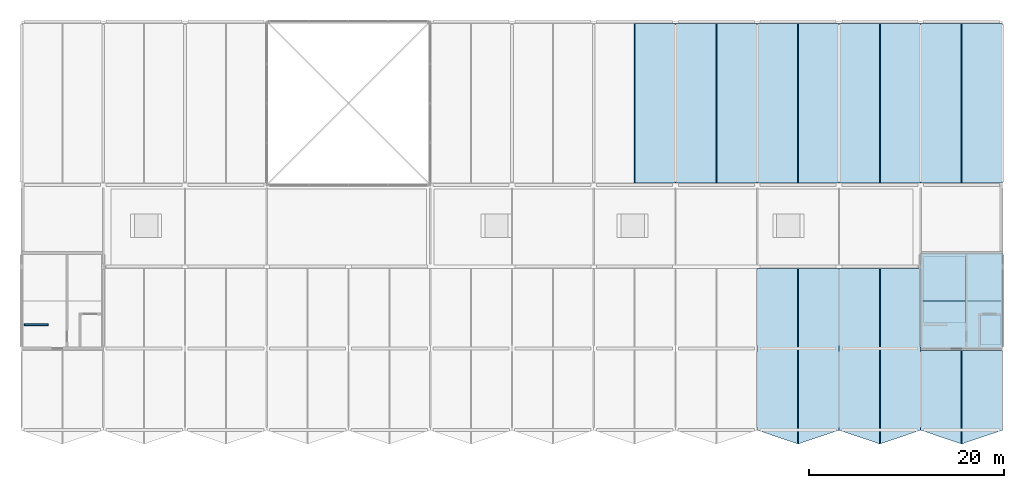
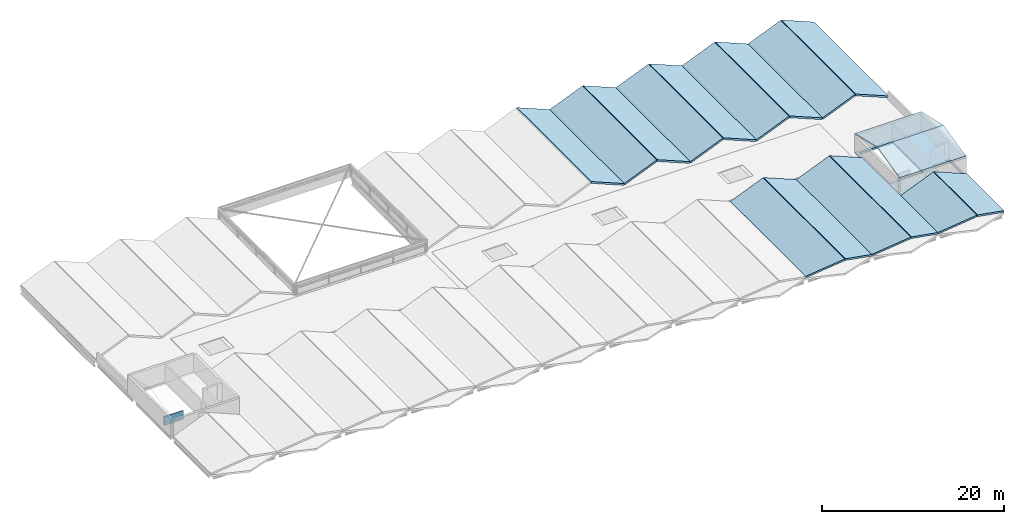
# One storey, part 11 of 14: 18 slabs, 1 wall.
"""IFC4 building model written with IfcOpenShell, lengths in metres."""

import ifcopenshell
import ifcopenshell.guid

model = None  # the IFC model being written
_history = None  # IfcOwnerHistory: only IFC2X3 demands one
_inside = {}  # id of a spatial element -> (the spatial element, [elements in it])
_under = {}  # id of a project, library or spatial element -> (it, [spatial elements below it])
_declared = {}  # id of a project -> (the project, [libraries it declares])
_typed = {}  # id of a type object -> (the type object, [elements of that type])
_made_of = {}  # id of a material, layer set ... -> (it, [elements and type objects made of it])


def new_model(schema):
    """Start an empty IFC model of exactly this schema.

    Asked for "IFC4X3", IfcOpenShell would pick the latest addendum, in which some entities
    have other attributes; the version numbers below select the first issue.
    IFC2X3 requires an IfcOwnerHistory on every rooted entity: one is made here for all.
    """
    global model, _history
    if schema == "IFC4X3":
        model = ifcopenshell.file(schema_version=(4, 3, 0, 0))
    else:
        model = ifcopenshell.file(schema=schema)
    _inside.clear()
    _under.clear()
    _declared.clear()
    _typed.clear()
    _made_of.clear()
    _history = None
    if model.schema == "IFC2X3":
        org = make("IfcOrganization", Name="unknown")
        user = make(
            "IfcPersonAndOrganization",
            ThePerson=make("IfcPerson", FamilyName="unknown"),
            TheOrganization=org,
        )
        app = make(
            "IfcApplication",
            ApplicationDeveloper=org,
            Version="unknown",
            ApplicationFullName="unknown",
            ApplicationIdentifier="unknown",
        )
        _history = make(
            "IfcOwnerHistory",
            OwningUser=user,
            OwningApplication=app,
            ChangeAction="ADDED",
            CreationDate=0,
        )
    return model


def make(cls, **values):
    """One entity of the class cls with the attributes given. An attribute that is None is left unset."""
    return model.create_entity(
        cls, **{name: value for name, value in values.items() if value is not None}
    )


def rooted(cls, **values):
    """An entity with a GlobalId (a new one), such as an element, a storey or a relation."""
    return make(cls, GlobalId=ifcopenshell.guid.new(), OwnerHistory=_history, **values)


def si_unit(unit_type, name, prefix=None):
    """IfcSIUnit, for example si_unit("LENGTHUNIT", "METRE", prefix="MILLI")."""
    return make("IfcSIUnit", UnitType=unit_type, Prefix=prefix, Name=name)


def assignment(units):
    """IfcUnitAssignment: the units of a project."""
    return None if units is None else make("IfcUnitAssignment", Units=units)


def point(xyz):
    """IfcCartesianPoint."""
    return None if xyz is None else make("IfcCartesianPoint", Coordinates=xyz)


def direction(xyz):
    """IfcDirection."""
    return None if xyz is None else make("IfcDirection", DirectionRatios=xyz)


def frame(location, z_axis=None, x_axis=None):
    """IfcAxis2Placement3D, a coordinate frame: its origin and axes. An axis left out is left unset."""
    return make(
        "IfcAxis2Placement3D",
        Location=point(location),
        Axis=direction(z_axis),
        RefDirection=direction(x_axis),
    )


def frame_2d(location, x_axis=None):
    """IfcAxis2Placement2D, a coordinate frame in the plane: its origin and x axis."""
    return make(
        "IfcAxis2Placement2D", Location=point(location), RefDirection=direction(x_axis)
    )


def origin():
    """The frame at (0, 0, 0) with its axes left unset."""
    return frame((0.0, 0.0, 0.0))


def place(relative_to, where):
    """IfcLocalPlacement: puts the frame where relative to a parent placement (None: the world)."""
    return make(
        "IfcLocalPlacement", PlacementRelTo=relative_to, RelativePlacement=where
    )


def context(
    kind, dimensions, precision=None, world=None, true_north=None, identifier=None
):
    """IfcGeometricRepresentationContext, for example the 3D "Model" context."""
    return make(
        "IfcGeometricRepresentationContext",
        ContextIdentifier=identifier,
        ContextType=kind,
        CoordinateSpaceDimension=dimensions,
        Precision=precision,
        WorldCoordinateSystem=world,
        TrueNorth=true_north,
    )


def subcontext(parent, identifier, kind, view, scale=None):
    """IfcGeometricRepresentationSubContext, for example "Body" below "Model"."""
    return make(
        "IfcGeometricRepresentationSubContext",
        ContextIdentifier=identifier,
        ContextType=kind,
        ParentContext=parent,
        TargetScale=scale,
        TargetView=view,
    )


def project(units=None, contexts=None):
    """IfcProject with its units and contexts."""
    return rooted(
        "IfcProject",
        Name="project",
        RepresentationContexts=contexts,
        UnitsInContext=assignment(units),
    )


def spatial(cls, under=None, at=None, **own):
    """A site, building, storey or space (cls), placed at a placement, below another one or the project."""
    s = rooted(cls, ObjectPlacement=at, **own)
    if under is not None:
        _under.setdefault(under.id(), (under, []))[1].append(s)
    return s


def polyline(points):
    """IfcPolyline through the points."""
    return make("IfcPolyline", Points=[point(p) for p in points])


def profile(cls, at=None, kind="AREA", **sizes):
    """A parametric profile (cls). Its sizes go by their IFC names, for example OverallWidth=200.0."""
    return make(cls, ProfileType=kind, Position=at, **sizes)


def rectangle(**sizes):
    """IfcRectangleProfileDef."""
    return profile("IfcRectangleProfileDef", **sizes)


def outline(outer, holes=None, kind="AREA"):
    """IfcArbitraryClosedProfileDef: a profile drawn as a closed curve; with holes, ...WithVoids."""
    if holes is None:
        return make("IfcArbitraryClosedProfileDef", ProfileType=kind, OuterCurve=outer)
    return make(
        "IfcArbitraryProfileDefWithVoids",
        ProfileType=kind,
        OuterCurve=outer,
        InnerCurves=holes,
    )


def extrude(swept, where, along, depth):
    """IfcExtrudedAreaSolid: the profile swept, set in the frame where, extruded along a direction by depth."""
    return make(
        "IfcExtrudedAreaSolid",
        SweptArea=swept,
        Position=where,
        ExtrudedDirection=direction(along),
        Depth=depth,
    )


def shape(context_of_items, identifier, shape_type, items):
    """IfcShapeRepresentation: the items that make up one representation, for example the "Body"."""
    return make(
        "IfcShapeRepresentation",
        ContextOfItems=context_of_items,
        RepresentationIdentifier=identifier,
        RepresentationType=shape_type,
        Items=items,
    )


def material(Name=None, Category=None):
    """IfcMaterial."""
    return make("IfcMaterial", Name=Name, Category=Category)


def layer(
    of_material, thickness, ventilated=None, Name=None, Category=None, Priority=None
):
    """IfcMaterialLayer: one layer of a wall or slab, of a material (None: an air gap)."""
    return make(
        "IfcMaterialLayer",
        Material=of_material,
        LayerThickness=thickness,
        IsVentilated=ventilated,
        Name=Name,
        Category=Category,
        Priority=Priority,
    )


def layer_set(layers, Name=None):
    """IfcMaterialLayerSet."""
    return make("IfcMaterialLayerSet", MaterialLayers=layers, LayerSetName=Name)


def made_of(thing, what):
    """Note that an element or type object is made of a material, layer set ...; save() writes the relation."""
    if what is not None:
        _made_of.setdefault(what.id(), (what, []))[1].append(thing)
    return thing


def type_object(cls, material=None, **own):
    """A type object (cls), such as IfcWallType, which elements share."""
    return made_of(rooted(cls, **own), material)


def element(
    cls,
    number,
    at=None,
    inside=None,
    cuts=None,
    type_object=None,
    material=None,
    context=None,
    identifier="Body",
    shape_type=None,
    held_by="IfcProductDefinitionShape",
    body=None,
    shapes=None,
    **own,
):
    """One element of the class cls, such as IfcWall. Its Tag is "e" and its number.

    at: its placement. inside: the storey or other place that contains it. cuts: it is an
    opening in that element (IfcRelVoidsElement). A single representation is given by context,
    identifier, shape_type and body (its items); several are given by shapes. held_by: the class
    of the entity that holds the representations. save() writes the other relations.
    """
    e = rooted(cls, Tag="e%d" % number, ObjectPlacement=at, **own)
    if body is not None:
        shapes = [shape(context, identifier, shape_type, body)]
    if shapes is not None:
        e.Representation = make(held_by, Representations=shapes)
    if inside is not None:
        _inside.setdefault(inside.id(), (inside, []))[1].append(e)
    if cuts is not None:
        rooted(
            "IfcRelVoidsElement", RelatingBuildingElement=cuts, RelatedOpeningElement=e
        )
    if type_object is not None:
        _typed.setdefault(type_object.id(), (type_object, []))[1].append(e)
    return made_of(e, material)


def aggregate(whole, parts):
    """IfcRelAggregates: a whole, such as a stair, and the parts it consists of."""
    return rooted("IfcRelAggregates", RelatingObject=whole, RelatedObjects=parts)


def save(model, path):
    """Write the relations noted so far, then the file.

    IfcRelAggregates (storeys below a building ...), IfcRelContainedInSpatialStructure (elements
    in a storey), IfcRelDefinesByType, IfcRelAssociatesMaterial and IfcRelDeclares: one each for
    every whole, place, type object, material and project.
    """
    for whole, parts in _under.values():
        aggregate(whole, parts)
    for where, things in _inside.values():
        rooted(
            "IfcRelContainedInSpatialStructure",
            RelatedElements=things,
            RelatingStructure=where,
        )
    for kind, things in _typed.values():
        rooted("IfcRelDefinesByType", RelatedObjects=things, RelatingType=kind)
    for what, things in _made_of.values():
        rooted("IfcRelAssociatesMaterial", RelatedObjects=things, RelatingMaterial=what)
    for by, libraries in _declared.values():
        rooted("IfcRelDeclares", RelatingContext=by, RelatedDefinitions=libraries)
    model.write(path)


model = new_model("IFC4")

# Units and contexts
model_context = context("Model", 3, precision=1e-05, world=origin(), true_north=direction((0.0, 1.0)))
body_context = subcontext(model_context, "Body", "Model", "MODEL_VIEW")
ifc_project = project(units=[si_unit("LENGTHUNIT", "METRE"), si_unit("AREAUNIT", "SQUARE_METRE"), si_unit("VOLUMEUNIT", "CUBIC_METRE"), si_unit("PLANEANGLEUNIT", "RADIAN"), si_unit("MASSUNIT", "GRAM", prefix="KILO")], contexts=[model_context])

# Site, building, storey
site_placement = place(None, origin())
site = spatial("IfcSite", under=ifc_project, at=site_placement, CompositionType="ELEMENT")
building_placement = place(site_placement, origin())
building = spatial("IfcBuilding", under=site, at=building_placement, Name="Qawsi Khor Wholesale Market", CompositionType="ELEMENT")
storey_placement = place(building_placement, frame((0.0, 0.0, 20.699951171875)))
storey = spatial("IfcBuildingStorey", under=building, at=storey_placement, Name="RF", CompositionType="ELEMENT", Elevation=20.699951171875)

# Slabs
ifc_material = material(Name="Concrete C40/50", Category="concrete")
ifc_layer_1 = layer(ifc_material, 0.22998046875, Name="Concrete C40/50")
ifc_layer_set_1 = layer_set([ifc_layer_1], Name="Concrete C40/50")
slab_type_1 = type_object("IfcSlabType", Name="Folded Concrete Canopy Slab 230 C40/50", PredefinedType="ROOF", material=ifc_layer_set_1)
slab_1_placement = place(storey_placement, frame((88.2451171875, 25.39990234375, 1.949951171875), z_axis=(0.382494052341, 0.0, 0.923957953547), x_axis=(0.923957953547, 0.0, -0.382494052341)))
element("IfcSlab", 1, at=slab_1_placement, inside=storey, type_object=slab_type_1, Name="Upper Crown Folded Concrete Vault North 10B", PredefinedType="ROOF", context=body_context, shape_type="SweptSolid", body=[
    extrude(outline(polyline([(0.0, 0.0), (4.496725354544532, 0.0), (4.496725354544532, 16.400146484375), (0.0, 16.400146484375), (0.0, 0.0)])), origin(), (0.0, 0.0, -1.0), 0.22998046875),
])
for number, where, z_axis, x_axis, name in (
    (2, (92.39990234375, 25.39990234375, 0.22998046875), (-0.382474865624, 0.0, 0.923965896105), (0.923965896105, 0.0, 0.382474865624), "Upper Crown Folded Concrete Vault North 11A"),
    (3, (96.64501953125, 25.39990234375, 1.949951171875), (0.382474865624, 0.0, 0.923965896105), (0.923965896105, 0.0, -0.382474865624), "Upper Crown Folded Concrete Vault North 11B"),
):
    element("IfcSlab", number, at=place(storey_placement, frame(where, z_axis=z_axis, x_axis=x_axis)), inside=storey, type_object=slab_type_1, Name=name, PredefinedType="ROOF", context=body_context, shape_type="SweptSolid", body=[
        extrude(outline(polyline([(0.0, 0.0), (4.496950931186359, 0.0), (4.496950931186359, 16.400146484375004), (0.0, 16.400146484375004), (0.0, 0.0)])), origin(), (0.0, 0.0, -1.0), 0.22998046875),
    ])
slab_2_placement = place(storey_placement, frame((100.800048828125, 0.0, 0.22998046875), z_axis=(-0.382474865624, 0.0, 0.923965896105), x_axis=(0.882207731123, -0.297231278586, 0.365189110157)))
element("IfcSlab", 4, at=slab_2_placement, inside=storey, type_object=slab_type_1, Name="Upper Crown Folded Concrete Vault South 12A", PredefinedType="ROOF", context=body_context, shape_type="SweptSolid", body=[
    extrude(outline(polyline([(0.0, 0.0), (4.70980830284361, 2.7755575615628914e-17), (-0.6403547117075807, 17.186499228107177), (-4.934068251022592, 15.849864753091353), (0.0, 0.0)])), origin(), (0.0, 0.0, -1.0), 0.22998046875),
])
slab_3_placement = place(storey_placement, frame((105.044921875, -1.39990234375, 1.949951171875), z_axis=(0.382474865624, 0.0, 0.923965896105), x_axis=(0.882207731123, 0.297231278586, -0.365189110157)))
element("IfcSlab", 5, at=slab_3_placement, inside=storey, type_object=slab_type_1, Name="Upper Crown Folded Concrete Vault South 12B", PredefinedType="ROOF", context=body_context, shape_type="SweptSolid", body=[
    extrude(outline(polyline([(0.0, 0.0), (4.70980830284361, -2.7755575615628914e-17), (9.643876553866201, 15.84986475309135), (5.350163014551191, 17.186499228107174), (0.0, 0.0)])), origin(), (0.0, 0.0, -1.0), 0.22998046875),
])
for number, where, z_axis, x_axis, name in (
    (6, (100.800048828125, 25.39990234375, 0.22998046875), (-0.382474865624, 0.0, 0.923965896105), (0.923965896105, 0.0, 0.382474865624), "Upper Crown Folded Concrete Vault North 12A"),
    (7, (105.044921875, 25.39990234375, 1.949951171875), (0.382474865624, 0.0, 0.923965896105), (0.923965896105, 0.0, -0.382474865624), "Upper Crown Folded Concrete Vault North 12B"),
):
    element("IfcSlab", number, at=place(storey_placement, frame(where, z_axis=z_axis, x_axis=x_axis)), inside=storey, type_object=slab_type_1, Name=name, PredefinedType="ROOF", context=body_context, shape_type="SweptSolid", body=[
        extrude(outline(polyline([(0.0, 0.0), (4.496950931186359, 0.0), (4.496950931186359, 16.400146484375004), (0.0, 16.400146484375004), (0.0, 0.0)])), origin(), (0.0, 0.0, -1.0), 0.22998046875),
    ])
slab_4_placement = place(storey_placement, frame((109.199951171875, 0.0, 0.22998046875), z_axis=(-0.382474865624, 0.0, 0.923965896105), x_axis=(0.882207731123, -0.297231278586, 0.365189110157)))
element("IfcSlab", 8, at=slab_4_placement, inside=storey, type_object=slab_type_1, Name="Upper Crown Folded Concrete Vault South 13A", PredefinedType="ROOF", context=body_context, shape_type="SweptSolid", body=[
    extrude(outline(polyline([(0.0, 0.0), (4.70980830284361, 2.7755575615628914e-17), (-0.6403547117075807, 17.186499228107177), (-4.934068251022592, 15.849864753091353), (0.0, 0.0)])), origin(), (0.0, 0.0, -1.0), 0.22998046875),
])
slab_5_placement = place(storey_placement, frame((113.445068359375, -1.39990234375, 1.949951171875), z_axis=(0.382474865624, 0.0, 0.923965896105), x_axis=(0.882207731123, 0.297231278586, -0.365189110157)))
element("IfcSlab", 9, at=slab_5_placement, inside=storey, type_object=slab_type_1, Name="Upper Crown Folded Concrete Vault South 13B", PredefinedType="ROOF", context=body_context, shape_type="SweptSolid", body=[
    extrude(outline(polyline([(0.0, 0.0), (4.70980830284361, -2.7755575615628914e-17), (9.643876553866201, 15.84986475309135), (5.350163014551191, 17.186499228107174), (0.0, 0.0)])), origin(), (0.0, 0.0, -1.0), 0.22998046875),
])
for number, where, z_axis, x_axis, name in (
    (10, (109.199951171875, 25.39990234375, 0.22998046875), (-0.382474865624, 0.0, 0.923965896105), (0.923965896105, 0.0, 0.382474865624), "Upper Crown Folded Concrete Vault North 13A"),
    (11, (113.445068359375, 25.39990234375, 1.949951171875), (0.382474865624, 0.0, 0.923965896105), (0.923965896105, 0.0, -0.382474865624), "Upper Crown Folded Concrete Vault North 13B"),
):
    element("IfcSlab", number, at=place(storey_placement, frame(where, z_axis=z_axis, x_axis=x_axis)), inside=storey, type_object=slab_type_1, Name=name, PredefinedType="ROOF", context=body_context, shape_type="SweptSolid", body=[
        extrude(outline(polyline([(0.0, 0.0), (4.496950931186359, 0.0), (4.496950931186359, 16.400146484375004), (0.0, 16.400146484375004), (0.0, 0.0)])), origin(), (0.0, 0.0, -1.0), 0.22998046875),
    ])
slab_6_placement = place(storey_placement, frame((117.60009765625, 0.0, 0.22998046875), z_axis=(-0.382494052341, 0.0, 0.923957953547), x_axis=(0.882196237658, -0.297244871708, 0.365205811159)))
element("IfcSlab", 12, at=slab_6_placement, inside=storey, type_object=slab_type_1, Name="Upper Crown Folded Concrete Vault South 14A", PredefinedType="ROOF", context=body_context, shape_type="SweptSolid", body=[
    extrude(outline(polyline([(0.0, 0.0), (4.709592921499734, 5.551115123125783e-17), (1.8560856948283, 9.165952434351357), (-2.437393434099169, 7.8293238832318375), (0.0, 0.0)])), origin(), (0.0, 0.0, -1.0), 0.22998046875),
])
slab_7_placement = place(storey_placement, frame((121.844970703125, -1.39990234375, 1.949951171875), z_axis=(0.382474865624, 0.0, 0.923965896105), x_axis=(0.882207731123, 0.297231278586, -0.365189110157)))
element("IfcSlab", 13, at=slab_7_placement, inside=storey, type_object=slab_type_1, Name="Upper Crown Folded Concrete Vault South 14B", PredefinedType="ROOF", context=body_context, shape_type="SweptSolid", body=[
    extrude(outline(polyline([(0.0, 0.0), (4.70980830284361, -5.551115123125783e-17), (7.14709027400424, 7.82935858255257), (2.853376734689228, 9.165993057568391), (0.0, 0.0)])), origin(), (0.0, 0.0, -1.0), 0.22998046875),
])
slab_8_placement = place(storey_placement, frame((117.60009765625, 25.39990234375, 0.22998046875), z_axis=(-0.382494052341, 0.0, 0.923957953547), x_axis=(0.923957953547, 0.0, 0.382494052341)))
element("IfcSlab", 14, at=slab_8_placement, inside=storey, type_object=slab_type_1, Name="Upper Crown Folded Concrete Vault North 14A", PredefinedType="ROOF", context=body_context, shape_type="SweptSolid", body=[
    extrude(outline(polyline([(0.0, 0.0), (4.496725354544532, 0.0), (4.496725354544532, 16.400146484375), (0.0, 16.400146484375), (0.0, 0.0)])), origin(), (0.0, 0.0, -1.0), 0.22998046875),
])
slab_9_placement = place(storey_placement, frame((121.844970703125, 25.39990234375, 1.949951171875), z_axis=(0.382474865624, 0.0, 0.923965896105), x_axis=(0.923965896105, 0.0, -0.382474865624)))
element("IfcSlab", 15, at=slab_9_placement, inside=storey, type_object=slab_type_1, Name="Upper Crown Folded Concrete Vault North 14B", PredefinedType="ROOF", context=body_context, shape_type="SweptSolid", body=[
    extrude(outline(polyline([(0.0, 0.0), (4.496950931186359, 0.0), (4.496950931186359, 16.400146484375004), (0.0, 16.400146484375004), (0.0, 0.0)])), origin(), (0.0, 0.0, -1.0), 0.22998046875),
])
ifc_layer_2 = layer(ifc_material, 0.239990234375, Name="Concrete C40/50")
ifc_layer_set_2 = layer_set([ifc_layer_2], Name="Concrete C40/50")
slab_type_2 = type_object("IfcSlabType", Name="Headhouse Lobby Floor Slab 240 C40/50", PredefinedType="FLOOR", material=ifc_layer_set_2)
slab_10_placement = place(storey_placement, frame((0.0, 0.0, -0.239990234375)))
element("IfcSlab", 16, at=slab_10_placement, inside=storey, type_object=slab_type_2, Name="Headhouse lobby floor slab RF C04", PredefinedType="FLOOR", context=body_context, shape_type="SweptSolid", body=[
    extrude(outline(polyline([(117.60009765625, 18.199951171875), (126.0, 18.199951171875), (126.0, 8.39990234375), (117.60009765625, 8.39990234375), (117.60009765625, 18.199951171875)]), holes=[polyline([(123.719970703125, 8.800048828125), (125.800048828125, 8.800048828125), (125.800048828125, 11.800048828125), (123.719970703125, 11.800048828125), (123.719970703125, 8.800048828125)]), polyline([(117.93994140625, 11.080078125), (122.179931640625, 11.080078125), (122.179931640625, 17.860107421875), (117.93994140625, 17.860107421875), (117.93994140625, 11.080078125)])]), origin(), (0.0, 0.0, 1.0), 0.239990234375),
])
ifc_layer_3 = layer(ifc_material, 0.18994140625, Name="Concrete C40/50")
ifc_layer_set_3 = layer_set([ifc_layer_3], Name="Concrete C40/50")
slab_type_3 = type_object("IfcSlabType", Name="Headhouse Roof Slab 190 C40/50", PredefinedType="ROOF", material=ifc_layer_set_3)
slab_11_placement = place(storey_placement, frame((117.60009765625, 8.39990234375, 2.510009765625), z_axis=(0.0, -0.228506699467, 0.97354234027), x_axis=(1.0, 0.0, 0.0)))
element("IfcSlab", 17, at=slab_11_placement, inside=storey, type_object=slab_type_3, Name="Headhouse folded roof shell C04 South", PredefinedType="ROOF", context=body_context, shape_type="SweptSolid", body=[
    extrude(outline(polyline([(0.0, 0.0), (8.39990234375, 0.0), (8.39990234375, 5.033316253113135), (0.0, 5.033316253113135), (0.0, 0.0)])), origin(), (0.0, 0.0, -1.0), 0.18994140625),
])
slab_12_placement = place(storey_placement, frame((117.60009765625, 13.300048828125, 3.66015625), z_axis=(0.0, 0.228517490414, 0.973539807391), x_axis=(1.0, 0.0, 0.0)))
element("IfcSlab", 18, at=slab_12_placement, inside=storey, type_object=slab_type_3, Name="Headhouse folded roof shell C04 North", PredefinedType="ROOF", context=body_context, shape_type="SweptSolid", body=[
    extrude(outline(polyline([(0.0, 0.0), (8.39990234375, 0.0), (8.39990234375, 5.033078572186899), (0.0, 5.033078572186899), (0.0, 0.0)])), origin(), (0.0, 0.0, -1.0), 0.18994140625),
])

# Wall
ifc_layer_4 = layer(ifc_material, 0.18994140625, Name="Concrete C40/50")
ifc_layer_set_4 = layer_set([ifc_layer_4], Name="Concrete C40/50")
wall_type = type_object("IfcWallType", Name="Stairwell Enclosure Wall RC 190", PredefinedType="SOLIDWALL", material=ifc_layer_set_4)
wall_placement = place(storey_placement, frame((25.5, 10.840087890625, 0.0), z_axis=(0.0, 0.0, 1.0), x_axis=(1.0, 0.0, 0.0)))
element("IfcWall", 19, at=wall_placement, inside=storey, type_object=wall_type, Name="Core C01 headhouse stairwell curb RF", PredefinedType="SOLIDWALL", context=body_context, shape_type="SweptSolid", body=[
    extrude(rectangle(XDim=2.429931640625, YDim=0.18994140625, at=frame_2d((1.21484375, 0.0))), origin(), (0.0, 0.0, 1.0), 1.150146484375),
])

save(model, "model.ifc")
